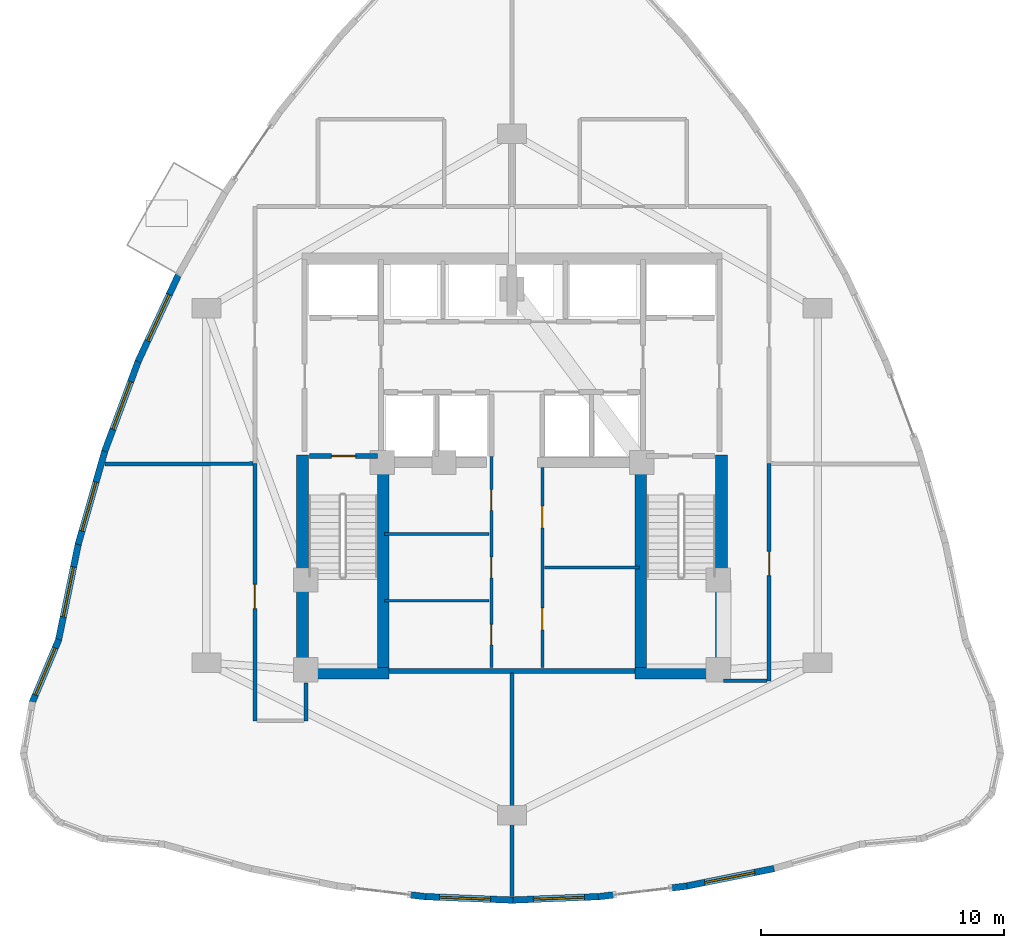
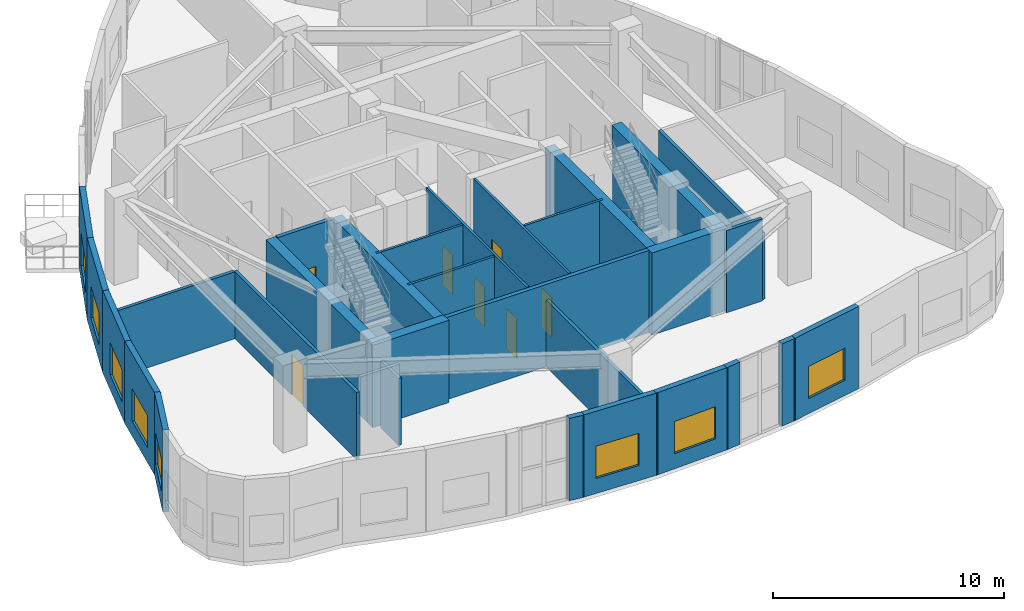
# One storey, part 10 of 14: 30 walls, 8 doors, 8 windows, 16 openings.
"""IFC4 building model written with IfcOpenShell, lengths in metres."""

import ifcopenshell
import ifcopenshell.guid

model = None  # the IFC model being written
_history = None  # IfcOwnerHistory: only IFC2X3 demands one
_inside = {}  # id of a spatial element -> (the spatial element, [elements in it])
_under = {}  # id of a project, library or spatial element -> (it, [spatial elements below it])
_declared = {}  # id of a project -> (the project, [libraries it declares])
_typed = {}  # id of a type object -> (the type object, [elements of that type])
_made_of = {}  # id of a material, layer set ... -> (it, [elements and type objects made of it])


def new_model(schema):
    """Start an empty IFC model of exactly this schema.

    Asked for "IFC4X3", IfcOpenShell would pick the latest addendum, in which some entities
    have other attributes; the version numbers below select the first issue.
    IFC2X3 requires an IfcOwnerHistory on every rooted entity: one is made here for all.
    """
    global model, _history
    if schema == "IFC4X3":
        model = ifcopenshell.file(schema_version=(4, 3, 0, 0))
    else:
        model = ifcopenshell.file(schema=schema)
    _inside.clear()
    _under.clear()
    _declared.clear()
    _typed.clear()
    _made_of.clear()
    _history = None
    if model.schema == "IFC2X3":
        org = make("IfcOrganization", Name="unknown")
        user = make(
            "IfcPersonAndOrganization",
            ThePerson=make("IfcPerson", FamilyName="unknown"),
            TheOrganization=org,
        )
        app = make(
            "IfcApplication",
            ApplicationDeveloper=org,
            Version="unknown",
            ApplicationFullName="unknown",
            ApplicationIdentifier="unknown",
        )
        _history = make(
            "IfcOwnerHistory",
            OwningUser=user,
            OwningApplication=app,
            ChangeAction="ADDED",
            CreationDate=0,
        )
    return model


def make(cls, **values):
    """One entity of the class cls with the attributes given. An attribute that is None is left unset."""
    return model.create_entity(
        cls, **{name: value for name, value in values.items() if value is not None}
    )


def rooted(cls, **values):
    """An entity with a GlobalId (a new one), such as an element, a storey or a relation."""
    return make(cls, GlobalId=ifcopenshell.guid.new(), OwnerHistory=_history, **values)


def si_unit(unit_type, name, prefix=None):
    """IfcSIUnit, for example si_unit("LENGTHUNIT", "METRE", prefix="MILLI")."""
    return make("IfcSIUnit", UnitType=unit_type, Prefix=prefix, Name=name)


def assignment(units):
    """IfcUnitAssignment: the units of a project."""
    return None if units is None else make("IfcUnitAssignment", Units=units)


def point(xyz):
    """IfcCartesianPoint."""
    return None if xyz is None else make("IfcCartesianPoint", Coordinates=xyz)


def direction(xyz):
    """IfcDirection."""
    return None if xyz is None else make("IfcDirection", DirectionRatios=xyz)


def frame(location, z_axis=None, x_axis=None):
    """IfcAxis2Placement3D, a coordinate frame: its origin and axes. An axis left out is left unset."""
    return make(
        "IfcAxis2Placement3D",
        Location=point(location),
        Axis=direction(z_axis),
        RefDirection=direction(x_axis),
    )


def frame_2d(location, x_axis=None):
    """IfcAxis2Placement2D, a coordinate frame in the plane: its origin and x axis."""
    return make(
        "IfcAxis2Placement2D", Location=point(location), RefDirection=direction(x_axis)
    )


def origin():
    """The frame at (0, 0, 0) with its axes left unset."""
    return frame((0.0, 0.0, 0.0))


def place(relative_to, where):
    """IfcLocalPlacement: puts the frame where relative to a parent placement (None: the world)."""
    return make(
        "IfcLocalPlacement", PlacementRelTo=relative_to, RelativePlacement=where
    )


def context(
    kind, dimensions, precision=None, world=None, true_north=None, identifier=None
):
    """IfcGeometricRepresentationContext, for example the 3D "Model" context."""
    return make(
        "IfcGeometricRepresentationContext",
        ContextIdentifier=identifier,
        ContextType=kind,
        CoordinateSpaceDimension=dimensions,
        Precision=precision,
        WorldCoordinateSystem=world,
        TrueNorth=true_north,
    )


def subcontext(parent, identifier, kind, view, scale=None):
    """IfcGeometricRepresentationSubContext, for example "Body" below "Model"."""
    return make(
        "IfcGeometricRepresentationSubContext",
        ContextIdentifier=identifier,
        ContextType=kind,
        ParentContext=parent,
        TargetScale=scale,
        TargetView=view,
    )


def project(units=None, contexts=None):
    """IfcProject with its units and contexts."""
    return rooted(
        "IfcProject",
        Name="project",
        RepresentationContexts=contexts,
        UnitsInContext=assignment(units),
    )


def spatial(cls, under=None, at=None, **own):
    """A site, building, storey or space (cls), placed at a placement, below another one or the project."""
    s = rooted(cls, ObjectPlacement=at, **own)
    if under is not None:
        _under.setdefault(under.id(), (under, []))[1].append(s)
    return s


def profile(cls, at=None, kind="AREA", **sizes):
    """A parametric profile (cls). Its sizes go by their IFC names, for example OverallWidth=200.0."""
    return make(cls, ProfileType=kind, Position=at, **sizes)


def rectangle(**sizes):
    """IfcRectangleProfileDef."""
    return profile("IfcRectangleProfileDef", **sizes)


def extrude(swept, where, along, depth):
    """IfcExtrudedAreaSolid: the profile swept, set in the frame where, extruded along a direction by depth."""
    return make(
        "IfcExtrudedAreaSolid",
        SweptArea=swept,
        Position=where,
        ExtrudedDirection=direction(along),
        Depth=depth,
    )


def shape(context_of_items, identifier, shape_type, items):
    """IfcShapeRepresentation: the items that make up one representation, for example the "Body"."""
    return make(
        "IfcShapeRepresentation",
        ContextOfItems=context_of_items,
        RepresentationIdentifier=identifier,
        RepresentationType=shape_type,
        Items=items,
    )


def material(Name=None, Category=None):
    """IfcMaterial."""
    return make("IfcMaterial", Name=Name, Category=Category)


def layer(
    of_material, thickness, ventilated=None, Name=None, Category=None, Priority=None
):
    """IfcMaterialLayer: one layer of a wall or slab, of a material (None: an air gap)."""
    return make(
        "IfcMaterialLayer",
        Material=of_material,
        LayerThickness=thickness,
        IsVentilated=ventilated,
        Name=Name,
        Category=Category,
        Priority=Priority,
    )


def layer_set(layers, Name=None):
    """IfcMaterialLayerSet."""
    return make("IfcMaterialLayerSet", MaterialLayers=layers, LayerSetName=Name)


def made_of(thing, what):
    """Note that an element or type object is made of a material, layer set ...; save() writes the relation."""
    if what is not None:
        _made_of.setdefault(what.id(), (what, []))[1].append(thing)
    return thing


def type_object(cls, material=None, **own):
    """A type object (cls), such as IfcWallType, which elements share."""
    return made_of(rooted(cls, **own), material)


def element(
    cls,
    number,
    at=None,
    inside=None,
    cuts=None,
    type_object=None,
    material=None,
    context=None,
    identifier="Body",
    shape_type=None,
    held_by="IfcProductDefinitionShape",
    body=None,
    shapes=None,
    **own,
):
    """One element of the class cls, such as IfcWall. Its Tag is "e" and its number.

    at: its placement. inside: the storey or other place that contains it. cuts: it is an
    opening in that element (IfcRelVoidsElement). A single representation is given by context,
    identifier, shape_type and body (its items); several are given by shapes. held_by: the class
    of the entity that holds the representations. save() writes the other relations.
    """
    e = rooted(cls, Tag="e%d" % number, ObjectPlacement=at, **own)
    if body is not None:
        shapes = [shape(context, identifier, shape_type, body)]
    if shapes is not None:
        e.Representation = make(held_by, Representations=shapes)
    if inside is not None:
        _inside.setdefault(inside.id(), (inside, []))[1].append(e)
    if cuts is not None:
        rooted(
            "IfcRelVoidsElement", RelatingBuildingElement=cuts, RelatedOpeningElement=e
        )
    if type_object is not None:
        _typed.setdefault(type_object.id(), (type_object, []))[1].append(e)
    return made_of(e, material)


def fill(opening, filler):
    """IfcRelFillsElement: the door or window that sits in an opening."""
    return rooted(
        "IfcRelFillsElement",
        RelatingOpeningElement=opening,
        RelatedBuildingElement=filler,
    )


def aggregate(whole, parts):
    """IfcRelAggregates: a whole, such as a stair, and the parts it consists of."""
    return rooted("IfcRelAggregates", RelatingObject=whole, RelatedObjects=parts)


def save(model, path):
    """Write the relations noted so far, then the file.

    IfcRelAggregates (storeys below a building ...), IfcRelContainedInSpatialStructure (elements
    in a storey), IfcRelDefinesByType, IfcRelAssociatesMaterial and IfcRelDeclares: one each for
    every whole, place, type object, material and project.
    """
    for whole, parts in _under.values():
        aggregate(whole, parts)
    for where, things in _inside.values():
        rooted(
            "IfcRelContainedInSpatialStructure",
            RelatedElements=things,
            RelatingStructure=where,
        )
    for kind, things in _typed.values():
        rooted("IfcRelDefinesByType", RelatedObjects=things, RelatingType=kind)
    for what, things in _made_of.values():
        rooted("IfcRelAssociatesMaterial", RelatedObjects=things, RelatingMaterial=what)
    for by, libraries in _declared.values():
        rooted("IfcRelDeclares", RelatingContext=by, RelatedDefinitions=libraries)
    model.write(path)


model = new_model("IFC4")

# Units and contexts
model_context = context("Model", 3, precision=1e-05, world=origin(), true_north=direction((0.0, 1.0)))
body_context = subcontext(model_context, "Body", "Model", "MODEL_VIEW")
ifc_project = project(units=[si_unit("LENGTHUNIT", "METRE"), si_unit("AREAUNIT", "SQUARE_METRE"), si_unit("VOLUMEUNIT", "CUBIC_METRE"), si_unit("PLANEANGLEUNIT", "RADIAN"), si_unit("MASSUNIT", "GRAM", prefix="KILO")], contexts=[model_context])

# Site, building, storey
site_placement = place(None, origin())
site = spatial("IfcSite", under=ifc_project, at=site_placement, CompositionType="ELEMENT")
building_placement = place(site_placement, origin())
building = spatial("IfcBuilding", under=site, at=building_placement, Name="Miruveldt Soraemaru", CompositionType="ELEMENT")
storey_placement = place(building_placement, frame((0.0, 0.0, 189.800048828125)))
storey = spatial("IfcBuildingStorey", under=building, at=storey_placement, Name="L52", CompositionType="ELEMENT", Elevation=189.800048828125)

# Walls
ifc_material_1 = material(Name="Concrete C60/75 (60 MPa)", Category="concrete")
ifc_layer_1 = layer(ifc_material_1, 0.47998046875, Name="Concrete C60/75 (60 MPa)", Category="concrete")
ifc_layer_set_1 = layer_set([ifc_layer_1], Name="Concrete C60/75 (60 MPa)")
wall_type_1 = type_object("IfcWallType", Name="WALL-CW-480", PredefinedType="SHEAR", material=ifc_layer_set_1)
for number, where, z_axis, x_axis, name in (
    (1, (35.1201171875, 35.360107421875, 0.0), (0.0, 0.0, 1.0), (1.0, 0.0, 0.0), "L52 Central Core Shear Wall S1"),
    (2, (49.070068359375, 35.360107421875, 0.0), (0.0, 0.0, 1.0), (1.0, 0.0, 0.0), "L52 Central Core Shear Wall S2"),
):
    element("IfcWall", number, at=place(storey_placement, frame(where, z_axis=z_axis, x_axis=x_axis)), inside=storey, type_object=wall_type_1, Name=name, PredefinedType="SHEAR", context=body_context, shape_type="SweptSolid", body=[
        extrude(rectangle(XDim=3.809814453125, YDim=0.47998046875, at=frame_2d((1.90478515625, 0.0))), origin(), (0.0, 0.0, 1.0), 4.344970703125),
    ])
for number, where, z_axis, x_axis, name in (
    (3, (35.360107421875, 35.1201171875, 0.0), (0.0, 0.0, 1.0), (0.0, 1.0, 0.0), "L52 Central Core Shear Wall W1"),
    (4, (52.639892578125, 35.1201171875, 0.0), (0.0, 0.0, 1.0), (0.0, 1.0, 0.0), "L52 Central Core Shear Wall E1"),
):
    element("IfcWall", number, at=place(storey_placement, frame(where, z_axis=z_axis, x_axis=x_axis)), inside=storey, type_object=wall_type_1, Name=name, PredefinedType="SHEAR", context=body_context, shape_type="SweptSolid", body=[
        extrude(rectangle(XDim=9.22998046875, YDim=0.47998046875, at=frame_2d((4.614990234375, 0.0))), origin(), (0.0, 0.0, 1.0), 4.344970703125),
    ])
for number, where, z_axis, x_axis, name in (
    (5, (38.68994140625, 35.39990234375, 0.0), (0.0, 0.0, 1.0), (0.0, 1.0, 0.0), "L52 Central Core Shear Wall SW-INT"),
    (6, (49.31005859375, 35.39990234375, 0.0), (0.0, 0.0, 1.0), (0.0, 1.0, 0.0), "L52 Central Core Shear Wall SE-INT"),
):
    element("IfcWall", number, at=place(storey_placement, frame(where, z_axis=z_axis, x_axis=x_axis)), inside=storey, type_object=wall_type_1, Name=name, PredefinedType="SHEAR", context=body_context, shape_type="SweptSolid", body=[
        extrude(rectangle(XDim=8.9501953125, YDim=0.47998046875, at=frame_2d((4.47509765625, 0.0))), origin(), (0.0, 0.0, 1.0), 4.344970703125),
    ])

# Wall, opening, window
ifc_material_2 = material(Name="Precast concrete C45/55 (45 MPa)", Category="concrete")
ifc_layer_2 = layer(ifc_material_2, 0.27001953125, Name="Precast concrete C45/55 (45 MPa)", Category="concrete")
ifc_layer_set_2 = layer_set([ifc_layer_2], Name="Precast concrete C45/55 (45 MPa)")
wall_type_2 = type_object("IfcWallType", Name="WALL-EXT-PC270", PredefinedType="SOLIDWALL", material=ifc_layer_set_2)
wall_1_placement = place(storey_placement, frame((30.26806640625, 51.82861328125, 0.0), z_axis=(0.0, 0.0, 1.0), x_axis=(-0.422329482268, -0.906442391113, 0.0)))
wall_1 = element("IfcWall", 7, at=wall_1_placement, inside=storey, type_object=wall_type_2, Name="L52 Precast Concrete Facade Wall 11", PredefinedType="SOLIDWALL", context=body_context, shape_type="SweptSolid", body=[
    extrude(rectangle(XDim=3.990966796875, YDim=0.27001953125, at=frame_2d((1.99560546875, 0.0))), origin(), (0.0, 0.0, 1.0), 4.344970703125),
])
opening_1_placement = place(wall_1_placement, frame((0.946044921875, 0.0, 0.800048828125)))
opening_1 = element("IfcOpeningElement", 8, at=opening_1_placement, cuts=wall_1, Name="Opening WN-1", PredefinedType="OPENING", context=body_context, shape_type="SweptSolid", body=[
    extrude(rectangle(XDim=2.10009765625, YDim=1.699951171875, at=frame_2d((1.050048828125, 0.85009765625))), frame((0.0, 0.14501953125, 0.0), z_axis=(0.0, -1.0, 0.0), x_axis=(1.0, 0.0, 0.0)), (0.0, 0.0, 1.0), 0.2900390625),
])
ifc_material_3 = material(Name="Triple low-e insulated glazing", Category="glass")
window_type = type_object("IfcWindowType", Name="WIN-PUNCH-2100x1700", PartitioningType="SINGLE_PANEL", PredefinedType="WINDOW", material=ifc_material_3)
window_1_placement = place(opening_1_placement, origin())
window_1 = element("IfcWindow", 9, at=window_1_placement, inside=storey, type_object=window_type, Name="L52 Punched Triple-Glazed Window 11.1", OverallHeight=1.699951171875, OverallWidth=2.10009765625, PartitioningType="SINGLE_PANEL", PredefinedType="WINDOW", context=body_context, shape_type="SweptSolid", body=[
    extrude(rectangle(XDim=2.10009765625, YDim=1.699951171875, at=frame_2d((1.050048828125, 0.85009765625))), frame((0.0, 0.030029296875, 0.0), z_axis=(0.0, -1.0, 0.0), x_axis=(1.0, 0.0, 0.0)), (0.0, 0.0, 1.0), 0.06005859375),
])
fill(opening_1, window_1)

wall_2_placement = place(storey_placement, frame((28.609619140625, 48.275390625, 0.0), z_axis=(0.0, 0.0, 1.0), x_axis=(-0.349030512444, -0.937111360183, 0.0)))
wall_2 = element("IfcWall", 10, at=wall_2_placement, inside=storey, type_object=wall_type_2, Name="L52 Precast Concrete Facade Wall 12", PredefinedType="SOLIDWALL", context=body_context, shape_type="SweptSolid", body=[
    extrude(rectangle(XDim=4.015625, YDim=0.27001953125, at=frame_2d((2.0078125, 0.0))), origin(), (0.0, 0.0, 1.0), 4.344970703125),
])
opening_2_placement = place(wall_2_placement, frame((0.9580078125, 0.0, 0.800048828125)))
opening_2 = element("IfcOpeningElement", 11, at=opening_2_placement, cuts=wall_2, Name="Opening WN-1", PredefinedType="OPENING", context=body_context, shape_type="SweptSolid", body=[
    extrude(rectangle(XDim=2.10009765625, YDim=1.699951171875, at=frame_2d((1.050048828125, 0.85009765625))), frame((0.0, 0.14501953125, 0.0), z_axis=(0.0, -1.0, 0.0), x_axis=(1.0, 0.0, 0.0)), (0.0, 0.0, 1.0), 0.2900390625),
])
window_2_placement = place(opening_2_placement, origin())
window_2 = element("IfcWindow", 12, at=window_2_placement, inside=storey, type_object=window_type, Name="L52 Punched Triple-Glazed Window 12.1", OverallHeight=1.699951171875, OverallWidth=2.10009765625, PartitioningType="SINGLE_PANEL", PredefinedType="WINDOW", context=body_context, shape_type="SweptSolid", body=[
    extrude(rectangle(XDim=2.10009765625, YDim=1.699951171875, at=frame_2d((1.050048828125, 0.85009765625))), frame((0.0, 0.030029296875, 0.0), z_axis=(0.0, -1.0, 0.0), x_axis=(1.0, 0.0, 0.0)), (0.0, 0.0, 1.0), 0.06005859375),
])
fill(opening_2, window_2)

wall_3_placement = place(storey_placement, frame((27.229736328125, 44.57861328125, 0.0), z_axis=(0.0, 0.0, 1.0), x_axis=(-0.274982858316, -0.961449128988, 0.0)))
wall_3 = element("IfcWall", 13, at=wall_3_placement, inside=storey, type_object=wall_type_2, Name="L52 Precast Concrete Facade Wall 13", PredefinedType="SOLIDWALL", context=body_context, shape_type="SweptSolid", body=[
    extrude(rectangle(XDim=4.0654296875, YDim=0.27001953125, at=frame_2d((2.03271484375, 0.0))), origin(), (0.0, 0.0, 1.0), 4.344970703125),
])
opening_3_placement = place(wall_3_placement, frame((1.39208984375, 0.0, 0.800048828125)))
opening_3 = element("IfcOpeningElement", 14, at=opening_3_placement, cuts=wall_3, Name="Opening WN-1", PredefinedType="OPENING", context=body_context, shape_type="SweptSolid", body=[
    extrude(rectangle(XDim=2.10009765625, YDim=1.699951171875, at=frame_2d((1.050048828125, 0.85009765625))), frame((0.0, 0.14501953125, 0.0), z_axis=(0.0, -1.0, 0.0), x_axis=(1.0, 0.0, 0.0)), (0.0, 0.0, 1.0), 0.2900390625),
])
window_3_placement = place(opening_3_placement, origin())
window_3 = element("IfcWindow", 15, at=window_3_placement, inside=storey, type_object=window_type, Name="L52 Punched Triple-Glazed Window 13.1", OverallHeight=1.699951171875, OverallWidth=2.10009765625, PartitioningType="SINGLE_PANEL", PredefinedType="WINDOW", context=body_context, shape_type="SweptSolid", body=[
    extrude(rectangle(XDim=2.10009765625, YDim=1.699951171875, at=frame_2d((1.050048828125, 0.85009765625))), frame((0.0, 0.030029296875, 0.0), z_axis=(0.0, -1.0, 0.0), x_axis=(1.0, 0.0, 0.0)), (0.0, 0.0, 1.0), 0.06005859375),
])
fill(opening_3, window_3)

wall_4_placement = place(storey_placement, frame((26.128662109375, 40.738037109375, 0.0), z_axis=(0.0, 0.0, 1.0), x_axis=(-0.201581344419, -0.979471776818, 0.0)))
wall_4 = element("IfcWall", 16, at=wall_4_placement, inside=storey, type_object=wall_type_2, Name="L52 Precast Concrete Facade Wall 14", PredefinedType="SOLIDWALL", context=body_context, shape_type="SweptSolid", body=[
    extrude(rectangle(XDim=4.138427734375, YDim=0.27001953125, at=frame_2d((2.0693359375, 0.0))), origin(), (0.0, 0.0, 1.0), 4.344970703125),
])
opening_4_placement = place(wall_4_placement, frame((1.01904296875, 0.0, 0.800048828125)))
opening_4 = element("IfcOpeningElement", 17, at=opening_4_placement, cuts=wall_4, Name="Opening WN-1", PredefinedType="OPENING", context=body_context, shape_type="SweptSolid", body=[
    extrude(rectangle(XDim=2.10009765625, YDim=1.699951171875, at=frame_2d((1.050048828125, 0.85009765625))), frame((0.0, 0.14501953125, 0.0), z_axis=(0.0, -1.0, 0.0), x_axis=(1.0, 0.0, 0.0)), (0.0, 0.0, 1.0), 0.2900390625),
])
window_4_placement = place(opening_4_placement, origin())
window_4 = element("IfcWindow", 18, at=window_4_placement, inside=storey, type_object=window_type, Name="L52 Punched Triple-Glazed Window 14.1", OverallHeight=1.699951171875, OverallWidth=2.10009765625, PartitioningType="SINGLE_PANEL", PredefinedType="WINDOW", context=body_context, shape_type="SweptSolid", body=[
    extrude(rectangle(XDim=2.10009765625, YDim=1.699951171875, at=frame_2d((1.050048828125, 0.85009765625))), frame((0.0, 0.030029296875, 0.0), z_axis=(0.0, -1.0, 0.0), x_axis=(1.0, 0.0, 0.0)), (0.0, 0.0, 1.0), 0.06005859375),
])
fill(opening_4, window_4)

wall_5_placement = place(storey_placement, frame((25.315185546875, 36.7509765625, 0.0), z_axis=(0.0, 0.0, 1.0), x_axis=(-0.38869031628, -0.921368459429, 0.0)))
wall_5 = element("IfcWall", 19, at=wall_5_placement, inside=storey, type_object=wall_type_2, Name="L52 Precast Concrete Facade Wall 15", PredefinedType="SOLIDWALL", context=body_context, shape_type="SweptSolid", body=[
    extrude(rectangle(XDim=2.8603515625, YDim=0.27001953125, at=frame_2d((1.43017578125, 0.0))), origin(), (0.0, 0.0, 1.0), 4.344970703125),
])
opening_5_placement = place(wall_5_placement, frame((0.3798828125, 0.0, 0.800048828125)))
opening_5 = element("IfcOpeningElement", 20, at=opening_5_placement, cuts=wall_5, Name="Opening WN-1", PredefinedType="OPENING", context=body_context, shape_type="SweptSolid", body=[
    extrude(rectangle(XDim=2.10009765625, YDim=1.699951171875, at=frame_2d((1.050048828125, 0.85009765625))), frame((0.0, 0.14501953125, 0.0), z_axis=(0.0, -1.0, 0.0), x_axis=(1.0, 0.0, 0.0)), (0.0, 0.0, 1.0), 0.2900390625),
])
window_5_placement = place(opening_5_placement, origin())
window_5 = element("IfcWindow", 21, at=window_5_placement, inside=storey, type_object=window_type, Name="L52 Punched Triple-Glazed Window 15.1", OverallHeight=1.699951171875, OverallWidth=2.10009765625, PartitioningType="SINGLE_PANEL", PredefinedType="WINDOW", context=body_context, shape_type="SweptSolid", body=[
    extrude(rectangle(XDim=2.10009765625, YDim=1.699951171875, at=frame_2d((1.050048828125, 0.85009765625))), frame((0.0, 0.030029296875, 0.0), z_axis=(0.0, -1.0, 0.0), x_axis=(1.0, 0.0, 0.0)), (0.0, 0.0, 1.0), 0.06005859375),
])
fill(opening_5, window_5)

# Wall
wall_6_placement = place(storey_placement, frame((39.74462890625, 26.229736328125, 0.0), z_axis=(0.0, 0.0, 1.0), x_axis=(0.992878477097, -0.119131564744, 0.0)))
element("IfcWall", 22, at=wall_6_placement, inside=storey, type_object=wall_type_2, Name="L52 Precast Pier Right 23", PredefinedType="SOLIDWALL", context=body_context, shape_type="SweptSolid", body=[
    extrude(rectangle(XDim=0.705078125, YDim=0.27001953125, at=frame_2d((0.3525390625, 0.0))), origin(), (0.0, 0.0, 1.0), 4.344970703125),
])

# Wall, opening, window
wall_7_placement = place(storey_placement, frame((40.374755859375, 26.1513671875, 0.0), z_axis=(0.0, 0.0, 1.0), x_axis=(0.999200106752, -0.039989331914, 0.0)))
wall_7 = element("IfcWall", 23, at=wall_7_placement, inside=storey, type_object=wall_type_2, Name="L52 Precast Concrete Facade Wall 24", PredefinedType="SOLIDWALL", context=body_context, shape_type="SweptSolid", body=[
    extrude(rectangle(XDim=3.6630859375, YDim=0.27001953125, at=frame_2d((1.83154296875, 0.0))), origin(), (0.0, 0.0, 1.0), 4.344970703125),
])
opening_6_placement = place(wall_7_placement, frame((0.64111328125, 0.0, 0.800048828125)))
opening_6 = element("IfcOpeningElement", 24, at=opening_6_placement, cuts=wall_7, Name="Opening WN-1", PredefinedType="OPENING", context=body_context, shape_type="SweptSolid", body=[
    extrude(rectangle(XDim=2.10009765625, YDim=1.699951171875, at=frame_2d((1.050048828125, 0.85009765625))), frame((0.0, 0.14501953125, 0.0), z_axis=(0.0, -1.0, 0.0), x_axis=(1.0, 0.0, 0.0)), (0.0, 0.0, 1.0), 0.2900390625),
])
window_6_placement = place(opening_6_placement, origin())
window_6 = element("IfcWindow", 25, at=window_6_placement, inside=storey, type_object=window_type, Name="L52 Punched Triple-Glazed Window 24.1", OverallHeight=1.699951171875, OverallWidth=2.10009765625, PartitioningType="SINGLE_PANEL", PredefinedType="WINDOW", context=body_context, shape_type="SweptSolid", body=[
    extrude(rectangle(XDim=2.10009765625, YDim=1.699951171875, at=frame_2d((1.050048828125, 0.85009765625))), frame((0.0, 0.030029296875, 0.0), z_axis=(0.0, -1.0, 0.0), x_axis=(1.0, 0.0, 0.0)), (0.0, 0.0, 1.0), 0.06005859375),
])
fill(opening_6, window_6)

wall_8_placement = place(storey_placement, frame((43.965087890625, 26.0048828125, 0.0), z_axis=(0.0, 0.0, 1.0), x_axis=(0.999200106752, 0.039989331914, 0.0)))
wall_8 = element("IfcWall", 26, at=wall_8_placement, inside=storey, type_object=wall_type_2, Name="L52 Precast Concrete Facade Wall 25", PredefinedType="SOLIDWALL", context=body_context, shape_type="SweptSolid", body=[
    extrude(rectangle(XDim=3.6630859375, YDim=0.27001953125, at=frame_2d((1.83154296875, 0.0))), origin(), (0.0, 0.0, 1.0), 4.344970703125),
])
opening_7_placement = place(wall_8_placement, frame((0.922119140625, 0.0, 0.800048828125)))
opening_7 = element("IfcOpeningElement", 27, at=opening_7_placement, cuts=wall_8, Name="Opening WN-1", PredefinedType="OPENING", context=body_context, shape_type="SweptSolid", body=[
    extrude(rectangle(XDim=2.10009765625, YDim=1.699951171875, at=frame_2d((1.050048828125, 0.85009765625))), frame((0.0, 0.14501953125, 0.0), z_axis=(0.0, -1.0, 0.0), x_axis=(1.0, 0.0, 0.0)), (0.0, 0.0, 1.0), 0.2900390625),
])
window_7_placement = place(opening_7_placement, origin())
window_7 = element("IfcWindow", 28, at=window_7_placement, inside=storey, type_object=window_type, Name="L52 Punched Triple-Glazed Window 25.1", OverallHeight=1.699951171875, OverallWidth=2.10009765625, PartitioningType="SINGLE_PANEL", PredefinedType="WINDOW", context=body_context, shape_type="SweptSolid", body=[
    extrude(rectangle(XDim=2.10009765625, YDim=1.699951171875, at=frame_2d((1.050048828125, 0.85009765625))), frame((0.0, 0.030029296875, 0.0), z_axis=(0.0, -1.0, 0.0), x_axis=(1.0, 0.0, 0.0)), (0.0, 0.0, 1.0), 0.06005859375),
])
fill(opening_7, window_7)

# Walls
for number, where, z_axis, x_axis, name in (
    (29, (47.555419921875, 26.145751953125, 0.0), (0.0, 0.0, 1.0), (0.992878477097, 0.119131564744, 0.0), "L52 Precast Pier Left 26"),
    (30, (50.51513671875, 26.5009765625, 0.0), (0.0, 0.0, 1.0), (0.992878477097, 0.119131564744, 0.0), "L52 Precast Pier Right 26"),
):
    element("IfcWall", number, at=place(storey_placement, frame(where, z_axis=z_axis, x_axis=x_axis)), inside=storey, type_object=wall_type_2, Name=name, PredefinedType="SOLIDWALL", context=body_context, shape_type="SweptSolid", body=[
        extrude(rectangle(XDim=0.705078125, YDim=0.27001953125, at=frame_2d((0.3525390625, 0.0))), origin(), (0.0, 0.0, 1.0), 4.344970703125),
    ])

# Wall, opening, window
wall_9_placement = place(storey_placement, frame((51.14599609375, 26.57373046875, 0.0), z_axis=(0.0, 0.0, 1.0), x_axis=(0.980573125551, 0.196153882058, 0.0)))
wall_9 = element("IfcWall", 31, at=wall_9_placement, inside=storey, type_object=wall_type_2, Name="L52 Precast Concrete Facade Wall 27", PredefinedType="SOLIDWALL", context=body_context, shape_type="SweptSolid", body=[
    extrude(rectangle(XDim=3.7314453125, YDim=0.27001953125, at=frame_2d((1.86572265625, 0.0))), origin(), (0.0, 0.0, 1.0), 4.344970703125),
])
opening_8_placement = place(wall_9_placement, frame((0.81591796875, 0.0, 0.800048828125)))
opening_8 = element("IfcOpeningElement", 32, at=opening_8_placement, cuts=wall_9, Name="Opening WN-1", PredefinedType="OPENING", context=body_context, shape_type="SweptSolid", body=[
    extrude(rectangle(XDim=2.10009765625, YDim=1.699951171875, at=frame_2d((1.050048828125, 0.85009765625))), frame((0.0, 0.14501953125, 0.0), z_axis=(0.0, -1.0, 0.0), x_axis=(1.0, 0.0, 0.0)), (0.0, 0.0, 1.0), 0.2900390625),
])
window_8_placement = place(opening_8_placement, origin())
window_8 = element("IfcWindow", 33, at=window_8_placement, inside=storey, type_object=window_type, Name="L52 Punched Triple-Glazed Window 27.1", OverallHeight=1.699951171875, OverallWidth=2.10009765625, PartitioningType="SINGLE_PANEL", PredefinedType="WINDOW", context=body_context, shape_type="SweptSolid", body=[
    extrude(rectangle(XDim=2.10009765625, YDim=1.699951171875, at=frame_2d((1.050048828125, 0.85009765625))), frame((0.0, 0.030029296875, 0.0), z_axis=(0.0, -1.0, 0.0), x_axis=(1.0, 0.0, 0.0)), (0.0, 0.0, 1.0), 0.06005859375),
])
fill(opening_8, window_8)

# Wall, openings, doors
ifc_material_4 = material(Name="Gypsum plasterboard lining", Category="gypsum")
ifc_layer_3 = layer(ifc_material_4, 0.1201171875, Name="Gypsum plasterboard lining", Category="gypsum")
ifc_layer_set_3 = layer_set([ifc_layer_3], Name="Gypsum plasterboard lining")
wall_type_3 = type_object("IfcWallType", Name="WALL-INT-P120", PredefinedType="PARTITIONING", material=ifc_layer_set_3)
wall_10_placement = place(storey_placement, frame((43.14990234375, 35.60009765625, 0.0), z_axis=(0.0, 0.0, 1.0), x_axis=(0.0, 1.0, 0.0)))
wall_10 = element("IfcWall", 34, at=wall_10_placement, inside=storey, type_object=wall_type_3, Name="L52 Core Compartment Wall SP-WL", PredefinedType="PARTITIONING", context=body_context, shape_type="SweptSolid", body=[
    extrude(rectangle(XDim=8.699951171875, YDim=0.1201171875, at=frame_2d((4.35009765625, 0.0))), origin(), (0.0, 0.0, 1.0), 4.344970703125),
])
opening_9_placement = place(wall_10_placement, frame((0.925048828125, 0.0, 0.0)))
opening_9 = element("IfcOpeningElement", 35, at=opening_9_placement, cuts=wall_10, Name="Opening FD3", PredefinedType="OPENING", context=body_context, shape_type="SweptSolid", body=[
    extrude(rectangle(XDim=0.85009765625, YDim=2.10009765625, at=frame_2d((0.425048828125, 1.050048828125))), frame((0.0, 0.070068359375, 0.0), z_axis=(0.0, -1.0, 0.0), x_axis=(1.0, 0.0, 0.0)), (0.0, 0.0, 1.0), 0.14013671875),
])
opening_10_placement = place(wall_10_placement, frame((3.695068359375, 0.0, 0.0)))
opening_10 = element("IfcOpeningElement", 36, at=opening_10_placement, cuts=wall_10, Name="Opening FD3", PredefinedType="OPENING", context=body_context, shape_type="SweptSolid", body=[
    extrude(rectangle(XDim=0.85009765625, YDim=2.10009765625, at=frame_2d((0.425048828125, 1.050048828125))), frame((0.0, 0.070068359375, 0.0), z_axis=(0.0, -1.0, 0.0), x_axis=(1.0, 0.0, 0.0)), (0.0, 0.0, 1.0), 0.14013671875),
])
opening_11_placement = place(wall_10_placement, frame((6.47509765625, 0.0, 0.0)))
opening_11 = element("IfcOpeningElement", 37, at=opening_11_placement, cuts=wall_10, Name="Opening FD3", PredefinedType="OPENING", context=body_context, shape_type="SweptSolid", body=[
    extrude(rectangle(XDim=0.85009765625, YDim=2.10009765625, at=frame_2d((0.425048828125, 1.050048828125))), frame((0.0, 0.070068359375, 0.0), z_axis=(0.0, -1.0, 0.0), x_axis=(1.0, 0.0, 0.0)), (0.0, 0.0, 1.0), 0.14013671875),
])
ifc_material_5 = material(Name="Anodised aluminium EN AW-6063 T6", Category="aluminium")
door_type_1 = type_object("IfcDoorType", Name="DOOR-FD3-850", OperationType="NOTDEFINED", PredefinedType="DOOR", material=ifc_material_5)
door_1_placement = place(opening_9_placement, origin())
door_1 = element("IfcDoor", 38, at=door_1_placement, inside=storey, type_object=door_type_1, Name="L52 Fire Door", OperationType="SINGLE_SWING_LEFT", OverallHeight=2.10009765625, OverallWidth=0.85009765625, PredefinedType="DOOR", context=body_context, shape_type="SweptSolid", body=[
    extrude(rectangle(XDim=0.85009765625, YDim=2.10009765625, at=frame_2d((0.425048828125, 1.050048828125))), frame((0.0, 0.02490234375, 0.0), z_axis=(0.0, -1.0, 0.0), x_axis=(1.0, 0.0, 0.0)), (0.0, 0.0, 1.0), 0.050048828125),
])
fill(opening_9, door_1)
door_2_placement = place(opening_10_placement, origin())
door_2 = element("IfcDoor", 39, at=door_2_placement, inside=storey, type_object=door_type_1, Name="L52 Fire Door", OperationType="SINGLE_SWING_LEFT", OverallHeight=2.10009765625, OverallWidth=0.85009765625, PredefinedType="DOOR", context=body_context, shape_type="SweptSolid", body=[
    extrude(rectangle(XDim=0.85009765625, YDim=2.10009765625, at=frame_2d((0.425048828125, 1.050048828125))), frame((0.0, 0.02490234375, 0.0), z_axis=(0.0, -1.0, 0.0), x_axis=(1.0, 0.0, 0.0)), (0.0, 0.0, 1.0), 0.050048828125),
])
fill(opening_10, door_2)
door_3_placement = place(opening_11_placement, origin())
door_3 = element("IfcDoor", 40, at=door_3_placement, inside=storey, type_object=door_type_1, Name="L52 Fire Door", OperationType="SINGLE_SWING_LEFT", OverallHeight=2.10009765625, OverallWidth=0.85009765625, PredefinedType="DOOR", context=body_context, shape_type="SweptSolid", body=[
    extrude(rectangle(XDim=0.85009765625, YDim=2.10009765625, at=frame_2d((0.425048828125, 1.050048828125))), frame((0.0, 0.02490234375, 0.0), z_axis=(0.0, -1.0, 0.0), x_axis=(1.0, 0.0, 0.0)), (0.0, 0.0, 1.0), 0.050048828125),
])
fill(opening_11, door_3)

wall_11_placement = place(storey_placement, frame((45.25, 35.60009765625, 0.0), z_axis=(0.0, 0.0, 1.0), x_axis=(0.0, 1.0, 0.0)))
wall_11 = element("IfcWall", 41, at=wall_11_placement, inside=storey, type_object=wall_type_3, Name="L52 Core Compartment Wall SP-EL", PredefinedType="PARTITIONING", context=body_context, shape_type="SweptSolid", body=[
    extrude(rectangle(XDim=8.25, YDim=0.1201171875, at=frame_2d((4.125, 0.0))), origin(), (0.0, 0.0, 1.0), 4.344970703125),
])
opening_12_placement = place(wall_11_placement, frame((1.550048828125, 0.0, 0.0)))
opening_12 = element("IfcOpeningElement", 42, at=opening_12_placement, cuts=wall_11, Name="Opening D3", PredefinedType="OPENING", context=body_context, shape_type="SweptSolid", body=[
    extrude(rectangle(XDim=0.89990234375, YDim=2.10009765625, at=frame_2d((0.449951171875, 1.050048828125))), frame((0.0, 0.070068359375, 0.0), z_axis=(0.0, -1.0, 0.0), x_axis=(1.0, 0.0, 0.0)), (0.0, 0.0, 1.0), 0.14013671875),
])
opening_13_placement = place(wall_11_placement, frame((5.75, 0.0, 0.0)))
opening_13 = element("IfcOpeningElement", 43, at=opening_13_placement, cuts=wall_11, Name="Opening D3", PredefinedType="OPENING", context=body_context, shape_type="SweptSolid", body=[
    extrude(rectangle(XDim=0.89990234375, YDim=2.10009765625, at=frame_2d((0.449951171875, 1.050048828125))), frame((0.0, 0.070068359375, 0.0), z_axis=(0.0, -1.0, 0.0), x_axis=(1.0, 0.0, 0.0)), (0.0, 0.0, 1.0), 0.14013671875),
])
door_type_2 = type_object("IfcDoorType", Name="DOOR-INT-900", OperationType="NOTDEFINED", PredefinedType="DOOR", material=ifc_material_5)
door_4_placement = place(opening_12_placement, origin())
door_4 = element("IfcDoor", 44, at=door_4_placement, inside=storey, type_object=door_type_2, Name="L52 Fire Door", OperationType="SINGLE_SWING_LEFT", OverallHeight=2.10009765625, OverallWidth=0.89990234375, PredefinedType="DOOR", context=body_context, shape_type="SweptSolid", body=[
    extrude(rectangle(XDim=0.89990234375, YDim=2.10009765625, at=frame_2d((0.449951171875, 1.050048828125))), frame((0.0, 0.02490234375, 0.0), z_axis=(0.0, -1.0, 0.0), x_axis=(1.0, 0.0, 0.0)), (0.0, 0.0, 1.0), 0.050048828125),
])
fill(opening_12, door_4)
door_5_placement = place(opening_13_placement, origin())
door_5 = element("IfcDoor", 45, at=door_5_placement, inside=storey, type_object=door_type_2, Name="L52 Fire Door", OperationType="SINGLE_SWING_LEFT", OverallHeight=2.10009765625, OverallWidth=0.89990234375, PredefinedType="DOOR", context=body_context, shape_type="SweptSolid", body=[
    extrude(rectangle(XDim=0.89990234375, YDim=2.10009765625, at=frame_2d((0.449951171875, 1.050048828125))), frame((0.0, 0.02490234375, 0.0), z_axis=(0.0, -1.0, 0.0), x_axis=(1.0, 0.0, 0.0)), (0.0, 0.0, 1.0), 0.050048828125),
])
fill(opening_13, door_5)

# Walls
for number, where, z_axis, x_axis, name in (
    (46, (38.75, 38.35009765625, 0.0), (0.0, 0.0, 1.0), (1.0, 0.0, 0.0), "L52 Core Compartment Wall RL-W3A"),
    (47, (38.75, 41.10009765625, 0.0), (0.0, 0.0, 1.0), (1.0, 0.0, 0.0), "L52 Core Compartment Wall RL-W3B"),
):
    element("IfcWall", number, at=place(storey_placement, frame(where, z_axis=z_axis, x_axis=x_axis)), inside=storey, type_object=wall_type_3, Name=name, PredefinedType="PARTITIONING", context=body_context, shape_type="SweptSolid", body=[
        extrude(rectangle(XDim=4.300048828125, YDim=0.1201171875, at=frame_2d((2.14990234375, 0.0))), origin(), (0.0, 0.0, 1.0), 4.344970703125),
    ])
wall_12_placement = place(storey_placement, frame((45.35009765625, 39.719970703125, 0.0), z_axis=(0.0, 0.0, 1.0), x_axis=(1.0, 0.0, 0.0)))
element("IfcWall", 48, at=wall_12_placement, inside=storey, type_object=wall_type_3, Name="L52 Core Compartment Wall RL-E3H", PredefinedType="PARTITIONING", context=body_context, shape_type="SweptSolid", body=[
    extrude(rectangle(XDim=3.89990234375, YDim=0.1201171875, at=frame_2d((1.949951171875, 0.0))), origin(), (0.0, 0.0, 1.0), 4.344970703125),
])

# Wall, opening, door
ifc_material_6 = material(Name="Concrete C40/50 (40 MPa)", Category="concrete")
ifc_layer_4 = layer(ifc_material_6, 0.159912109375, Name="Concrete C40/50 (40 MPa)", Category="concrete")
ifc_layer_set_4 = layer_set([ifc_layer_4], Name="Concrete C40/50 (40 MPa)")
wall_type_4 = type_object("IfcWallType", Name="WALL-INT-RC160", PredefinedType="SOLIDWALL", material=ifc_layer_set_4)
wall_13_placement = place(storey_placement, frame((33.39990234375, 44.0, 0.0), z_axis=(0.0, 0.0, 1.0), x_axis=(0.0, -1.0, 0.0)))
wall_13 = element("IfcWall", 49, at=wall_13_placement, inside=storey, type_object=wall_type_4, Name="L52 Partition Wall 3", PredefinedType="SOLIDWALL", context=body_context, shape_type="SweptSolid", body=[
    extrude(rectangle(XDim=10.60009765625, YDim=0.159912109375, at=frame_2d((5.300048828125, 0.0))), origin(), (0.0, 0.0, 1.0), 3.532958984375),
])
opening_14_placement = place(wall_13_placement, frame((4.97998046875, 0.0, 0.0)))
opening_14 = element("IfcOpeningElement", 50, at=opening_14_placement, cuts=wall_13, Name="Opening FD2A", PredefinedType="OPENING", context=body_context, shape_type="SweptSolid", body=[
    extrude(rectangle(XDim=1.0, YDim=2.14990234375, at=frame_2d((0.5, 1.074951171875))), frame((0.0, 0.08984375, 0.0), z_axis=(0.0, -1.0, 0.0), x_axis=(1.0, 0.0, 0.0)), (0.0, 0.0, 1.0), 0.179931640625),
])
door_type_3 = type_object("IfcDoorType", Name="DOOR-FD2-1000", OperationType="NOTDEFINED", PredefinedType="DOOR", material=ifc_material_5)
door_6_placement = place(opening_14_placement, origin())
door_6 = element("IfcDoor", 51, at=door_6_placement, inside=storey, type_object=door_type_3, Name="L52 High-Zone Sky Salon Door", OperationType="SINGLE_SWING_RIGHT", OverallHeight=2.14990234375, OverallWidth=1.0, PredefinedType="DOOR", context=body_context, shape_type="SweptSolid", body=[
    extrude(rectangle(XDim=1.0, YDim=2.14990234375, at=frame_2d((0.5, 1.074951171875))), frame((0.0, 0.02490234375, 0.0), z_axis=(0.0, -1.0, 0.0), x_axis=(1.0, 0.0, 0.0)), (0.0, 0.0, 1.0), 0.050048828125),
])
fill(opening_14, door_6)

wall_14_placement = place(storey_placement, frame((54.60009765625, 35.050048828125, 0.0), z_axis=(0.0, 0.0, 1.0), x_axis=(0.0, 1.0, 0.0)))
wall_14 = element("IfcWall", 52, at=wall_14_placement, inside=storey, type_object=wall_type_4, Name="L52 Partition Wall 7", PredefinedType="SOLIDWALL", context=body_context, shape_type="SweptSolid", body=[
    extrude(rectangle(XDim=8.949951171875, YDim=0.159912109375, at=frame_2d((4.47509765625, 0.0))), origin(), (0.0, 0.0, 1.0), 3.532958984375),
])
opening_15_placement = place(wall_14_placement, frame((4.3349609375, 0.0, 0.0)))
opening_15 = element("IfcOpeningElement", 53, at=opening_15_placement, cuts=wall_14, Name="Opening FD2A", PredefinedType="OPENING", context=body_context, shape_type="SweptSolid", body=[
    extrude(rectangle(XDim=1.0, YDim=2.14990234375, at=frame_2d((0.5, 1.074951171875))), frame((0.0, 0.08984375, 0.0), z_axis=(0.0, -1.0, 0.0), x_axis=(1.0, 0.0, 0.0)), (0.0, 0.0, 1.0), 0.179931640625),
])
door_7_placement = place(opening_15_placement, origin())
door_7 = element("IfcDoor", 54, at=door_7_placement, inside=storey, type_object=door_type_3, Name="L52 Panoramic Wine and Tea Bar Door", OperationType="SINGLE_SWING_LEFT", OverallHeight=2.14990234375, OverallWidth=1.0, PredefinedType="DOOR", context=body_context, shape_type="SweptSolid", body=[
    extrude(rectangle(XDim=1.0, YDim=2.14990234375, at=frame_2d((0.5, 1.074951171875))), frame((0.0, 0.02490234375, 0.0), z_axis=(0.0, -1.0, 0.0), x_axis=(1.0, 0.0, 0.0)), (0.0, 0.0, 1.0), 0.050048828125),
])
fill(opening_15, door_7)

# Walls
wall_15_placement = place(storey_placement, frame((44.0, 26.156005859375, 0.0), z_axis=(0.0, 0.0, 1.0), x_axis=(0.0, 1.0, 0.0)))
element("IfcWall", 55, at=wall_15_placement, inside=storey, type_object=wall_type_4, Name="L52 Partition Wall 20", PredefinedType="SOLIDWALL", context=body_context, shape_type="SweptSolid", body=[
    extrude(rectangle(XDim=9.208984375, YDim=0.159912109375, at=frame_2d((4.6044921875, 0.0))), origin(), (0.0, 0.0, 1.0), 3.532958984375),
])
wall_16_placement = place(storey_placement, frame((33.320068359375, 44.0, 0.0), z_axis=(0.0, 0.0, 1.0), x_axis=(-0.999995135171, -0.003119236205, 0.0)))
element("IfcWall", 56, at=wall_16_placement, inside=storey, type_object=wall_type_4, Name="L52 Partition Wall 21", PredefinedType="SOLIDWALL", context=body_context, shape_type="SweptSolid", body=[
    extrude(rectangle(XDim=6.10498046875, YDim=0.159912109375, at=frame_2d((3.052490234375, 0.0))), origin(), (0.0, 0.0, 1.0), 3.532958984375),
])
wall_17_placement = place(storey_placement, frame((52.712646484375, 35.050048828125, 0.0), z_axis=(0.0, 0.0, 1.0), x_axis=(1.0, 0.0, 0.0)))
element("IfcWall", 57, at=wall_17_placement, inside=storey, type_object=wall_type_4, Name="L52 Partition Wall 6", PredefinedType="SOLIDWALL", context=body_context, shape_type="SweptSolid", body=[
    extrude(rectangle(XDim=1.807373046875, YDim=0.159912109375, at=frame_2d((0.90380859375, 0.0))), origin(), (0.0, 0.0, 1.0), 4.344970703125),
])
wall_18_placement = place(storey_placement, frame((35.5, 33.39990234375, 0.0), z_axis=(0.0, 0.0, 1.0), x_axis=(0.0, 1.0, 0.0)))
element("IfcWall", 58, at=wall_18_placement, inside=storey, type_object=wall_type_4, Name="L52 Partition Wall 5", PredefinedType="SOLIDWALL", context=body_context, shape_type="SweptSolid", body=[
    extrude(rectangle(XDim=1.550048828125, YDim=0.159912109375, at=frame_2d((0.77490234375, 0.0))), origin(), (0.0, 0.0, 1.0), 3.532958984375),
])

# Wall, opening, door
ifc_layer_5 = layer(ifc_material_6, 0.199951171875, Name="Concrete C40/50 (40 MPa)", Category="concrete")
ifc_layer_set_5 = layer_set([ifc_layer_5], Name="Concrete C40/50 (40 MPa)")
wall_type_5 = type_object("IfcWallType", Name="WALL-INT-RC200", PredefinedType="SOLIDWALL", material=ifc_layer_set_5)
wall_19_placement = place(storey_placement, frame((35.64990234375, 44.320068359375, 0.0), z_axis=(0.0, 0.0, 1.0), x_axis=(1.0, 0.0, 0.0)))
wall_19 = element("IfcWall", 59, at=wall_19_placement, inside=storey, type_object=wall_type_5, Name="L52 Core Compartment Wall ST1-N", PredefinedType="SOLIDWALL", context=body_context, shape_type="SweptSolid", body=[
    extrude(rectangle(XDim=2.800048828125, YDim=0.199951171875, at=frame_2d((1.39990234375, 0.0))), origin(), (0.0, 0.0, 1.0), 4.344970703125),
])
opening_16_placement = place(wall_19_placement, frame((0.89990234375, 0.0, 0.0)))
opening_16 = element("IfcOpeningElement", 60, at=opening_16_placement, cuts=wall_19, Name="Opening FD1", PredefinedType="OPENING", context=body_context, shape_type="SweptSolid", body=[
    extrude(rectangle(XDim=1.0, YDim=2.14990234375, at=frame_2d((0.5, 1.074951171875))), frame((0.0, 0.10986328125, 0.0), z_axis=(0.0, -1.0, 0.0), x_axis=(1.0, 0.0, 0.0)), (0.0, 0.0, 1.0), 0.219970703125),
])
door_type_4 = type_object("IfcDoorType", Name="DOOR-FD1-1000", OperationType="NOTDEFINED", PredefinedType="DOOR", material=ifc_material_5)
door_8_placement = place(opening_16_placement, frame((1.0, 0.0, 0.0), z_axis=(0.0, 0.0, 1.0), x_axis=(-1.0, 0.0, 0.0)))
door_8 = element("IfcDoor", 61, at=door_8_placement, inside=storey, type_object=door_type_4, Name="L52 Stair ST-1 Fire Door", OperationType="SINGLE_SWING_LEFT", OverallHeight=2.14990234375, OverallWidth=1.0, PredefinedType="DOOR", context=body_context, shape_type="SweptSolid", body=[
    extrude(rectangle(XDim=1.0, YDim=2.14990234375, at=frame_2d((0.5, 1.074951171875))), frame((0.0, 0.02490234375, 0.0), z_axis=(0.0, -1.0, 0.0), x_axis=(1.0, 0.0, 0.0)), (0.0, 0.0, 1.0), 0.050048828125),
])
fill(opening_16, door_8)

# Wall
wall_20_placement = place(storey_placement, frame((38.89990234375, 35.449951171875, 0.0), z_axis=(0.0, 0.0, 1.0), x_axis=(1.0, 0.0, 0.0)))
element("IfcWall", 62, at=wall_20_placement, inside=storey, type_object=wall_type_5, Name="L52 Core Compartment Wall CS-S", PredefinedType="SOLIDWALL", context=body_context, shape_type="SweptSolid", body=[
    extrude(rectangle(XDim=10.2001953125, YDim=0.199951171875, at=frame_2d((5.10009765625, 0.0))), origin(), (0.0, 0.0, 1.0), 4.344970703125),
])

save(model, "model.ifc")
